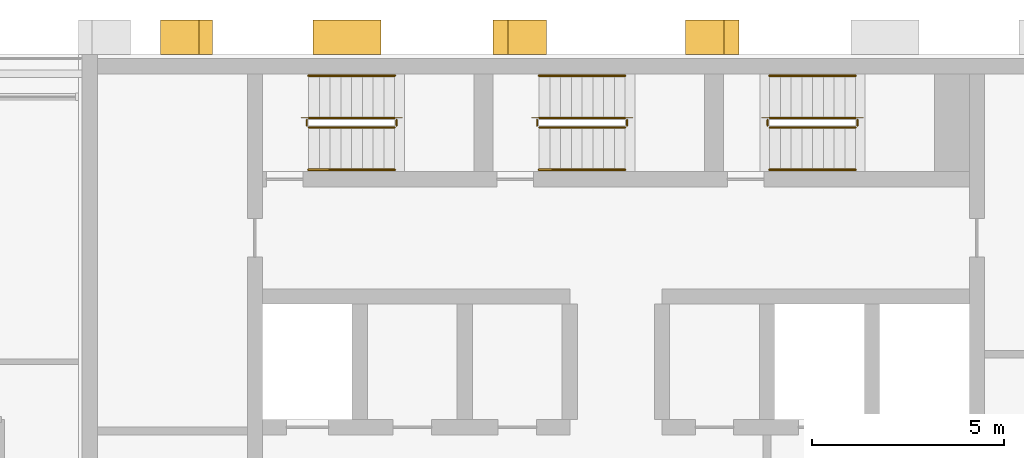
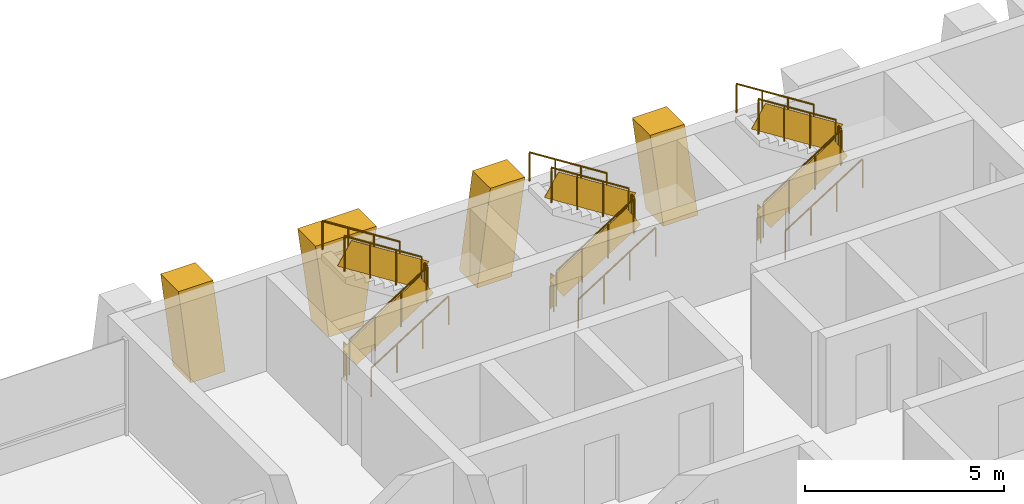
# One storey, part 15 of 16: 18 railings, 4 shading devices.
"""IFC4 building model written with IfcOpenShell, lengths in metres."""

from ifc_helpers import new_model, si_unit, direction, frame, origin, origin_2d, place, context, subcontext, project, spatial, polyline, rectangle, circle, outline, extrude, material, layer, layer_set, type_object, element, save


model = new_model("IFC4")

# Units and contexts
model_context = context("Model", 3, precision=1e-05, world=origin(), true_north=direction((0.0, 1.0)))
body_context = subcontext(model_context, "Body", "Model", "MODEL_VIEW")
ifc_project = project(units=[si_unit("LENGTHUNIT", "METRE"), si_unit("AREAUNIT", "SQUARE_METRE"), si_unit("VOLUMEUNIT", "CUBIC_METRE"), si_unit("PLANEANGLEUNIT", "RADIAN"), si_unit("MASSUNIT", "GRAM", prefix="KILO")], contexts=[model_context])

# Site, building, storey
site_placement = place(None, origin())
site = spatial("IfcSite", under=ifc_project, at=site_placement, CompositionType="ELEMENT")
building_placement = place(site_placement, origin())
building = spatial("IfcBuilding", under=site, at=building_placement, Name="Vidyagriha Tower", CompositionType="ELEMENT")
storey_placement = place(building_placement, frame((0.0, 0.0, 165.300048828125)))
storey = spatial("IfcBuildingStorey", under=building, at=storey_placement, Name="L42", CompositionType="ELEMENT", Elevation=165.300048828125)

# Shading devices
ifc_material_1 = material(Name="Precast concrete C40/50 with brick facing", Category="concrete")
ifc_layer_1 = layer(ifc_material_1, 1.0)
ifc_layer_set_1 = layer_set([ifc_layer_1], Name="Precast concrete C40/50 with brick facing")
shading_device_type_1 = type_object("IfcShadingDeviceType", Name="Brick-faced rear rib arm leaning 8 degrees", PredefinedType="USERDEFINED", material=ifc_layer_set_1)
shading_device_1_placement = place(storey_placement, frame((3.199951171875, 20.449951171875, 0.0), z_axis=(0.0, 0.0, 1.0), x_axis=(-1.0, 0.0, 0.0)))
element("IfcShadingDevice", 1, at=shading_device_1_placement, inside=storey, type_object=shading_device_type_1, Name="Rear rib arm L42 R08.3a", ObjectType="BLADE FIN", PredefinedType="USERDEFINED", context=body_context, shape_type="SweptSolid", body=[
    extrude(outline(polyline([(0.0, 0.0), (1.0, 0.0), (1.3857421875, 2.919921875), (0.3857421875, 2.919921875), (0.0, 0.0)])), frame((0.0, 0.449951171875, 0.0), z_axis=(0.0, -1.0, 0.0), x_axis=(1.0, 0.0, 0.0)), (0.0, 0.0, 1.0), 0.89990234375),
])
shading_device_2_placement = place(storey_placement, frame((-1.814208984375, 20.449951171875, 0.0), z_axis=(0.0, 0.0, 1.0), x_axis=(-1.0, 0.0, 0.0)))
element("IfcShadingDevice", 2, at=shading_device_2_placement, inside=storey, type_object=shading_device_type_1, Name="Rear rib arm L42 R08.3b", ObjectType="BLADE FIN", PredefinedType="USERDEFINED", context=body_context, shape_type="SweptSolid", body=[
    extrude(outline(polyline([(0.3857421875, 0.0), (1.3857421875, 0.0), (1.0, 2.919921875), (0.0, 2.919921875), (0.3857421875, 0.0)])), frame((0.0, 0.449951171875, 0.0), z_axis=(0.0, -1.0, 0.0), x_axis=(1.0, 0.0, 0.0)), (0.0, 0.0, 1.0), 0.89990234375),
])
shading_device_3_placement = place(storey_placement, frame((-10.5, 20.449951171875, 0.0), z_axis=(0.0, 0.0, 1.0), x_axis=(-1.0, 0.0, 0.0)))
element("IfcShadingDevice", 3, at=shading_device_3_placement, inside=storey, type_object=shading_device_type_1, Name="Rear rib arm L42 R08.5a", ObjectType="BLADE FIN", PredefinedType="USERDEFINED", context=body_context, shape_type="SweptSolid", body=[
    extrude(outline(polyline([(0.0, 0.0), (1.0, 0.0), (1.357177734375, 2.919921875), (0.357177734375, 2.919921875), (0.0, 0.0)])), frame((0.0, 0.449951171875, 0.0), z_axis=(0.0, -1.0, 0.0), x_axis=(1.0, 0.0, 0.0)), (0.0, 0.0, 1.0), 0.89990234375),
])
ifc_material_2 = material(Name="Precast concrete C40/50 with brick facing", Category="concrete")
ifc_layer_2 = layer(ifc_material_2, 1.0)
ifc_layer_set_2 = layer_set([ifc_layer_2], Name="Precast concrete C40/50 with brick facing")
shading_device_type_2 = type_object("IfcShadingDeviceType", Name="Brick-faced rear rib forking 8 degrees", PredefinedType="USERDEFINED", material=ifc_layer_set_2)
shading_device_4_placement = place(storey_placement, frame((-6.1142578125, 20.449951171875, 0.0), z_axis=(0.0, 0.0, 1.0), x_axis=(-1.0, 0.0, 0.0)))
element("IfcShadingDevice", 4, at=shading_device_4_placement, inside=storey, type_object=shading_device_type_2, Name="Rear rib fork L42 R08.4a", ObjectType="BLADE FIN", PredefinedType="USERDEFINED", context=body_context, shape_type="SweptSolid", body=[
    extrude(outline(polyline([(0.3857421875, 0.0), (1.3857421875, 0.0), (1.771484375, 2.919921875), (0.0, 2.919921875), (0.3857421875, 0.0)])), frame((0.0, 0.449951171875, 0.0), z_axis=(0.0, -1.0, 0.0), x_axis=(1.0, 0.0, 0.0)), (0.0, 0.0, 1.0), 0.89990234375),
])

# Railings
ifc_material_3 = material(Name="Steel ASTM A500 Grade C", Category="steel")
railing_type_1 = type_object("IfcRailingType", Name="Stair guard 1100 mm, steel balustrade", PredefinedType="GUARDRAIL", material=ifc_material_3)
railing_1_placement = place(storey_placement, frame((-8.0, 18.10009765625, 0.177734375)))
element("IfcRailing", 5, at=railing_1_placement, inside=storey, type_object=railing_type_1, Name="L42 ST1 stair guard 1", PredefinedType="GUARDRAIL", context=body_context, shape_type="SweptSolid", body=[
    extrude(circle(Radius=0.02392578125, at=origin_2d()), frame((0.0, 0.0, 1.076171875), z_axis=(0.8442293374, 0.0, 0.53598211339), x_axis=(0.0, 1.0, 0.0)), (0.0, 0.0, 1.0), 2.6533203125),
    extrude(circle(Radius=0.02099609375, at=origin_2d()), origin(), (0.0, 0.0, 1.0), 1.052001953125),
    extrude(circle(Radius=0.02099609375, at=origin_2d()), frame((0.74658203125, 0.0, 0.47412109375)), (0.0, 0.0, 1.0), 1.052001953125),
    extrude(circle(Radius=0.02099609375, at=origin_2d()), frame((1.493408203125, 0.0, 0.947998046875)), (0.0, 0.0, 1.0), 1.052001953125),
    extrude(circle(Radius=0.02099609375, at=origin_2d()), frame((2.239990234375, 0.0, 1.422119140625)), (0.0, 0.0, 1.0), 1.052001953125),
    extrude(rectangle(XDim=0.010009765625, YDim=0.761474609375, at=origin_2d()), frame((0.0, 0.0, 0.551025390625), z_axis=(0.8442293374, 0.0, 0.53598211339), x_axis=(0.0, 1.0, 0.0)), (0.0, 0.0, 1.0), 2.6533203125),
])
railing_2_placement = place(storey_placement, frame((-5.7099609375, 18.14990234375, 1.599853515625)))
element("IfcRailing", 6, at=railing_2_placement, inside=storey, type_object=railing_type_1, Name="L42 ST1 stair guard 2", PredefinedType="GUARDRAIL", context=body_context, shape_type="SweptSolid", body=[
    extrude(circle(Radius=0.02392578125, at=origin_2d()), frame((0.0, 0.0, 1.076171875), z_axis=(0.0, 1.0, 0.0), x_axis=(-1.0, 0.0, 0.0)), (0.0, 0.0, 1.0), 0.150146484375),
    extrude(circle(Radius=0.02099609375, at=origin_2d()), origin(), (0.0, 0.0, 1.0), 1.052001953125),
    extrude(circle(Radius=0.02099609375, at=origin_2d()), frame((0.0, 0.150146484375, 0.0)), (0.0, 0.0, 1.0), 1.052001953125),
    extrude(rectangle(XDim=0.010009765625, YDim=0.902099609375, at=origin_2d()), frame((0.0, 0.0, 0.551025390625), z_axis=(0.0, 1.0, 0.0), x_axis=(-1.0, 0.0, 0.0)), (0.0, 0.0, 1.0), 0.150146484375),
])
railing_3_placement = place(storey_placement, frame((-5.760009765625, 18.35009765625, 1.77783203125)))
element("IfcRailing", 7, at=railing_3_placement, inside=storey, type_object=railing_type_1, Name="L42 ST1 stair guard 3", PredefinedType="GUARDRAIL", context=body_context, shape_type="SweptSolid", body=[
    extrude(circle(Radius=0.02392578125, at=origin_2d()), frame((0.0, 0.0, 1.076171875), z_axis=(-0.8442293374, 0.0, 0.53598211339), x_axis=(0.0, -1.0, 0.0)), (0.0, 0.0, 1.0), 2.6533203125),
    extrude(circle(Radius=0.02099609375, at=origin_2d()), origin(), (0.0, 0.0, 1.0), 1.052001953125),
    extrude(circle(Radius=0.02099609375, at=origin_2d()), frame((-0.74658203125, 0.0, 0.47412109375)), (0.0, 0.0, 1.0), 1.052001953125),
    extrude(circle(Radius=0.02099609375, at=origin_2d()), frame((-1.493408203125, 0.0, 0.947998046875)), (0.0, 0.0, 1.0), 1.052001953125),
    extrude(circle(Radius=0.02099609375, at=origin_2d()), frame((-2.239990234375, 0.0, 1.422119140625)), (0.0, 0.0, 1.0), 1.052001953125),
    extrude(rectangle(XDim=0.010009765625, YDim=0.761474609375, at=origin_2d()), frame((0.0, 0.0, 0.551025390625), z_axis=(-0.8442293374, 0.0, 0.53598211339), x_axis=(0.0, -1.0, 0.0)), (0.0, 0.0, 1.0), 2.6533203125),
])
railing_4_placement = place(storey_placement, frame((-8.050048828125, 18.14990234375, 0.0)))
element("IfcRailing", 8, at=railing_4_placement, inside=storey, type_object=railing_type_1, Name="L42 ST1 stair guard 4", PredefinedType="GUARDRAIL", context=body_context, shape_type="SweptSolid", body=[
    extrude(circle(Radius=0.02392578125, at=origin_2d()), frame((0.0, 0.0, 1.076171875), z_axis=(0.0, 1.0, 0.0), x_axis=(-1.0, 0.0, 0.0)), (0.0, 0.0, 1.0), 0.150146484375),
    extrude(circle(Radius=0.02099609375, at=origin_2d()), origin(), (0.0, 0.0, 1.0), 1.052001953125),
    extrude(circle(Radius=0.02099609375, at=origin_2d()), frame((0.0, 0.150146484375, 0.0)), (0.0, 0.0, 1.0), 1.052001953125),
    extrude(rectangle(XDim=0.010009765625, YDim=0.902099609375, at=origin_2d()), frame((0.0, 0.0, 0.551025390625), z_axis=(0.0, 1.0, 0.0), x_axis=(-1.0, 0.0, 0.0)), (0.0, 0.0, 1.0), 0.150146484375),
])
railing_5_placement = place(storey_placement, frame((-2.0, 18.10009765625, 0.177734375)))
element("IfcRailing", 9, at=railing_5_placement, inside=storey, type_object=railing_type_1, Name="L42 ST2 stair guard 1", PredefinedType="GUARDRAIL", context=body_context, shape_type="SweptSolid", body=[
    extrude(circle(Radius=0.02392578125, at=origin_2d()), frame((0.0, 0.0, 1.076171875), z_axis=(0.8442293374, 0.0, 0.53598211339), x_axis=(0.0, 1.0, 0.0)), (0.0, 0.0, 1.0), 2.6533203125),
    extrude(circle(Radius=0.02099609375, at=origin_2d()), origin(), (0.0, 0.0, 1.0), 1.052001953125),
    extrude(circle(Radius=0.02099609375, at=origin_2d()), frame((0.74658203125, 0.0, 0.47412109375)), (0.0, 0.0, 1.0), 1.052001953125),
    extrude(circle(Radius=0.02099609375, at=origin_2d()), frame((1.493408203125, 0.0, 0.947998046875)), (0.0, 0.0, 1.0), 1.052001953125),
    extrude(circle(Radius=0.02099609375, at=origin_2d()), frame((2.239990234375, 0.0, 1.422119140625)), (0.0, 0.0, 1.0), 1.052001953125),
    extrude(rectangle(XDim=0.010009765625, YDim=0.761474609375, at=origin_2d()), frame((0.0, 0.0, 0.551025390625), z_axis=(0.8442293374, 0.0, 0.53598211339), x_axis=(0.0, 1.0, 0.0)), (0.0, 0.0, 1.0), 2.6533203125),
])
railing_6_placement = place(storey_placement, frame((0.2900390625, 18.14990234375, 1.599853515625)))
element("IfcRailing", 10, at=railing_6_placement, inside=storey, type_object=railing_type_1, Name="L42 ST2 stair guard 2", PredefinedType="GUARDRAIL", context=body_context, shape_type="SweptSolid", body=[
    extrude(circle(Radius=0.02392578125, at=origin_2d()), frame((0.0, 0.0, 1.076171875), z_axis=(0.0, 1.0, 0.0), x_axis=(-1.0, 0.0, 0.0)), (0.0, 0.0, 1.0), 0.150146484375),
    extrude(circle(Radius=0.02099609375, at=origin_2d()), origin(), (0.0, 0.0, 1.0), 1.052001953125),
    extrude(circle(Radius=0.02099609375, at=origin_2d()), frame((0.0, 0.150146484375, 0.0)), (0.0, 0.0, 1.0), 1.052001953125),
    extrude(rectangle(XDim=0.010009765625, YDim=0.902099609375, at=origin_2d()), frame((0.0, 0.0, 0.551025390625), z_axis=(0.0, 1.0, 0.0), x_axis=(-1.0, 0.0, 0.0)), (0.0, 0.0, 1.0), 0.150146484375),
])
railing_7_placement = place(storey_placement, frame((0.239990234375, 18.35009765625, 1.77783203125)))
element("IfcRailing", 11, at=railing_7_placement, inside=storey, type_object=railing_type_1, Name="L42 ST2 stair guard 3", PredefinedType="GUARDRAIL", context=body_context, shape_type="SweptSolid", body=[
    extrude(circle(Radius=0.02392578125, at=origin_2d()), frame((0.0, 0.0, 1.076171875), z_axis=(-0.8442293374, 0.0, 0.53598211339), x_axis=(0.0, -1.0, 0.0)), (0.0, 0.0, 1.0), 2.6533203125),
    extrude(circle(Radius=0.02099609375, at=origin_2d()), origin(), (0.0, 0.0, 1.0), 1.052001953125),
    extrude(circle(Radius=0.02099609375, at=origin_2d()), frame((-0.74658203125, 0.0, 0.47412109375)), (0.0, 0.0, 1.0), 1.052001953125),
    extrude(circle(Radius=0.02099609375, at=origin_2d()), frame((-1.493408203125, 0.0, 0.947998046875)), (0.0, 0.0, 1.0), 1.052001953125),
    extrude(circle(Radius=0.02099609375, at=origin_2d()), frame((-2.239990234375, 0.0, 1.422119140625)), (0.0, 0.0, 1.0), 1.052001953125),
    extrude(rectangle(XDim=0.010009765625, YDim=0.761474609375, at=origin_2d()), frame((0.0, 0.0, 0.551025390625), z_axis=(-0.8442293374, 0.0, 0.53598211339), x_axis=(0.0, -1.0, 0.0)), (0.0, 0.0, 1.0), 2.6533203125),
])
railing_8_placement = place(storey_placement, frame((-2.050048828125, 18.14990234375, 0.0)))
element("IfcRailing", 12, at=railing_8_placement, inside=storey, type_object=railing_type_1, Name="L42 ST2 stair guard 4", PredefinedType="GUARDRAIL", context=body_context, shape_type="SweptSolid", body=[
    extrude(circle(Radius=0.02392578125, at=origin_2d()), frame((0.0, 0.0, 1.076171875), z_axis=(0.0, 1.0, 0.0), x_axis=(-1.0, 0.0, 0.0)), (0.0, 0.0, 1.0), 0.150146484375),
    extrude(circle(Radius=0.02099609375, at=origin_2d()), origin(), (0.0, 0.0, 1.0), 1.052001953125),
    extrude(circle(Radius=0.02099609375, at=origin_2d()), frame((0.0, 0.150146484375, 0.0)), (0.0, 0.0, 1.0), 1.052001953125),
    extrude(rectangle(XDim=0.010009765625, YDim=0.902099609375, at=origin_2d()), frame((0.0, 0.0, 0.551025390625), z_axis=(0.0, 1.0, 0.0), x_axis=(-1.0, 0.0, 0.0)), (0.0, 0.0, 1.0), 0.150146484375),
])
railing_9_placement = place(storey_placement, frame((4.0, 18.10009765625, 0.177734375)))
element("IfcRailing", 13, at=railing_9_placement, inside=storey, type_object=railing_type_1, Name="L42 ST3 stair guard 1", PredefinedType="GUARDRAIL", context=body_context, shape_type="SweptSolid", body=[
    extrude(circle(Radius=0.02392578125, at=origin_2d()), frame((0.0, 0.0, 1.076171875), z_axis=(0.8442293374, 0.0, 0.53598211339), x_axis=(0.0, 1.0, 0.0)), (0.0, 0.0, 1.0), 2.6533203125),
    extrude(circle(Radius=0.02099609375, at=origin_2d()), origin(), (0.0, 0.0, 1.0), 1.052001953125),
    extrude(circle(Radius=0.02099609375, at=origin_2d()), frame((0.74658203125, 0.0, 0.47412109375)), (0.0, 0.0, 1.0), 1.052001953125),
    extrude(circle(Radius=0.02099609375, at=origin_2d()), frame((1.493408203125, 0.0, 0.947998046875)), (0.0, 0.0, 1.0), 1.052001953125),
    extrude(circle(Radius=0.02099609375, at=origin_2d()), frame((2.239990234375, 0.0, 1.422119140625)), (0.0, 0.0, 1.0), 1.052001953125),
    extrude(rectangle(XDim=0.010009765625, YDim=0.761474609375, at=origin_2d()), frame((0.0, 0.0, 0.551025390625), z_axis=(0.8442293374, 0.0, 0.53598211339), x_axis=(0.0, 1.0, 0.0)), (0.0, 0.0, 1.0), 2.6533203125),
])
railing_10_placement = place(storey_placement, frame((6.2900390625, 18.14990234375, 1.599853515625)))
element("IfcRailing", 14, at=railing_10_placement, inside=storey, type_object=railing_type_1, Name="L42 ST3 stair guard 2", PredefinedType="GUARDRAIL", context=body_context, shape_type="SweptSolid", body=[
    extrude(circle(Radius=0.02392578125, at=origin_2d()), frame((0.0, 0.0, 1.076171875), z_axis=(0.0, 1.0, 0.0), x_axis=(-1.0, 0.0, 0.0)), (0.0, 0.0, 1.0), 0.150146484375),
    extrude(circle(Radius=0.02099609375, at=origin_2d()), origin(), (0.0, 0.0, 1.0), 1.052001953125),
    extrude(circle(Radius=0.02099609375, at=origin_2d()), frame((0.0, 0.150146484375, 0.0)), (0.0, 0.0, 1.0), 1.052001953125),
    extrude(rectangle(XDim=0.010009765625, YDim=0.902099609375, at=origin_2d()), frame((0.0, 0.0, 0.551025390625), z_axis=(0.0, 1.0, 0.0), x_axis=(-1.0, 0.0, 0.0)), (0.0, 0.0, 1.0), 0.150146484375),
])
railing_11_placement = place(storey_placement, frame((6.239990234375, 18.35009765625, 1.77783203125)))
element("IfcRailing", 15, at=railing_11_placement, inside=storey, type_object=railing_type_1, Name="L42 ST3 stair guard 3", PredefinedType="GUARDRAIL", context=body_context, shape_type="SweptSolid", body=[
    extrude(circle(Radius=0.02392578125, at=origin_2d()), frame((0.0, 0.0, 1.076171875), z_axis=(-0.8442293374, 0.0, 0.53598211339), x_axis=(0.0, -1.0, 0.0)), (0.0, 0.0, 1.0), 2.6533203125),
    extrude(circle(Radius=0.02099609375, at=origin_2d()), origin(), (0.0, 0.0, 1.0), 1.052001953125),
    extrude(circle(Radius=0.02099609375, at=origin_2d()), frame((-0.74658203125, 0.0, 0.47412109375)), (0.0, 0.0, 1.0), 1.052001953125),
    extrude(circle(Radius=0.02099609375, at=origin_2d()), frame((-1.493408203125, 0.0, 0.947998046875)), (0.0, 0.0, 1.0), 1.052001953125),
    extrude(circle(Radius=0.02099609375, at=origin_2d()), frame((-2.239990234375, 0.0, 1.422119140625)), (0.0, 0.0, 1.0), 1.052001953125),
    extrude(rectangle(XDim=0.010009765625, YDim=0.761474609375, at=origin_2d()), frame((0.0, 0.0, 0.551025390625), z_axis=(-0.8442293374, 0.0, 0.53598211339), x_axis=(0.0, -1.0, 0.0)), (0.0, 0.0, 1.0), 2.6533203125),
])
railing_12_placement = place(storey_placement, frame((3.949951171875, 18.14990234375, 0.0)))
element("IfcRailing", 16, at=railing_12_placement, inside=storey, type_object=railing_type_1, Name="L42 ST3 stair guard 4", PredefinedType="GUARDRAIL", context=body_context, shape_type="SweptSolid", body=[
    extrude(circle(Radius=0.02392578125, at=origin_2d()), frame((0.0, 0.0, 1.076171875), z_axis=(0.0, 1.0, 0.0), x_axis=(-1.0, 0.0, 0.0)), (0.0, 0.0, 1.0), 0.150146484375),
    extrude(circle(Radius=0.02099609375, at=origin_2d()), origin(), (0.0, 0.0, 1.0), 1.052001953125),
    extrude(circle(Radius=0.02099609375, at=origin_2d()), frame((0.0, 0.150146484375, 0.0)), (0.0, 0.0, 1.0), 1.052001953125),
    extrude(rectangle(XDim=0.010009765625, YDim=0.902099609375, at=origin_2d()), frame((0.0, 0.0, 0.551025390625), z_axis=(0.0, 1.0, 0.0), x_axis=(-1.0, 0.0, 0.0)), (0.0, 0.0, 1.0), 0.150146484375),
])
ifc_material_4 = material(Name="Steel ASTM A500 Grade C", Category="steel")
railing_type_2 = type_object("IfcRailingType", Name="Stair handrail 900 mm, steel", PredefinedType="HANDRAIL", material=ifc_material_4)
railing_13_placement = place(storey_placement, frame((-8.0, 17.0, 0.177734375)))
element("IfcRailing", 17, at=railing_13_placement, inside=storey, type_object=railing_type_2, Name="L42 ST1 stair handrail 1", PredefinedType="HANDRAIL", context=body_context, shape_type="SweptSolid", body=[
    extrude(circle(Radius=0.02392578125, at=origin_2d()), frame((0.0, 0.0, 0.8759765625), z_axis=(0.8442293374, 0.0, 0.53598211339), x_axis=(0.0, 1.0, 0.0)), (0.0, 0.0, 1.0), 2.6533203125),
    extrude(circle(Radius=0.02099609375, at=origin_2d()), origin(), (0.0, 0.0, 1.0), 0.851806640625),
    extrude(circle(Radius=0.02099609375, at=origin_2d()), frame((0.74658203125, 0.0, 0.47412109375)), (0.0, 0.0, 1.0), 0.851806640625),
    extrude(circle(Radius=0.02099609375, at=origin_2d()), frame((1.493408203125, 0.0, 0.947998046875)), (0.0, 0.0, 1.0), 0.851806640625),
    extrude(circle(Radius=0.02099609375, at=origin_2d()), frame((2.239990234375, 0.0, 1.422119140625)), (0.0, 0.0, 1.0), 0.851806640625),
])
railing_14_placement = place(storey_placement, frame((-5.760009765625, 19.449951171875, 1.77783203125)))
element("IfcRailing", 18, at=railing_14_placement, inside=storey, type_object=railing_type_2, Name="L42 ST1 stair handrail 2", PredefinedType="HANDRAIL", context=body_context, shape_type="SweptSolid", body=[
    extrude(circle(Radius=0.02392578125, at=origin_2d()), frame((0.0, 0.0, 0.8759765625), z_axis=(-0.8442293374, 0.0, 0.53598211339), x_axis=(0.0, -1.0, 0.0)), (0.0, 0.0, 1.0), 2.6533203125),
    extrude(circle(Radius=0.02099609375, at=origin_2d()), origin(), (0.0, 0.0, 1.0), 0.851806640625),
    extrude(circle(Radius=0.02099609375, at=origin_2d()), frame((-0.74658203125, 0.0, 0.47412109375)), (0.0, 0.0, 1.0), 0.851806640625),
    extrude(circle(Radius=0.02099609375, at=origin_2d()), frame((-1.493408203125, 0.0, 0.947998046875)), (0.0, 0.0, 1.0), 0.851806640625),
    extrude(circle(Radius=0.02099609375, at=origin_2d()), frame((-2.239990234375, 0.0, 1.422119140625)), (0.0, 0.0, 1.0), 0.851806640625),
])
railing_15_placement = place(storey_placement, frame((-2.0, 17.0, 0.177734375)))
element("IfcRailing", 19, at=railing_15_placement, inside=storey, type_object=railing_type_2, Name="L42 ST2 stair handrail 1", PredefinedType="HANDRAIL", context=body_context, shape_type="SweptSolid", body=[
    extrude(circle(Radius=0.02392578125, at=origin_2d()), frame((0.0, 0.0, 0.8759765625), z_axis=(0.8442293374, 0.0, 0.53598211339), x_axis=(0.0, 1.0, 0.0)), (0.0, 0.0, 1.0), 2.6533203125),
    extrude(circle(Radius=0.02099609375, at=origin_2d()), origin(), (0.0, 0.0, 1.0), 0.851806640625),
    extrude(circle(Radius=0.02099609375, at=origin_2d()), frame((0.74658203125, 0.0, 0.47412109375)), (0.0, 0.0, 1.0), 0.851806640625),
    extrude(circle(Radius=0.02099609375, at=origin_2d()), frame((1.493408203125, 0.0, 0.947998046875)), (0.0, 0.0, 1.0), 0.851806640625),
    extrude(circle(Radius=0.02099609375, at=origin_2d()), frame((2.239990234375, 0.0, 1.422119140625)), (0.0, 0.0, 1.0), 0.851806640625),
])
railing_16_placement = place(storey_placement, frame((0.239990234375, 19.449951171875, 1.77783203125)))
element("IfcRailing", 20, at=railing_16_placement, inside=storey, type_object=railing_type_2, Name="L42 ST2 stair handrail 2", PredefinedType="HANDRAIL", context=body_context, shape_type="SweptSolid", body=[
    extrude(circle(Radius=0.02392578125, at=origin_2d()), frame((0.0, 0.0, 0.8759765625), z_axis=(-0.8442293374, 0.0, 0.53598211339), x_axis=(0.0, -1.0, 0.0)), (0.0, 0.0, 1.0), 2.6533203125),
    extrude(circle(Radius=0.02099609375, at=origin_2d()), origin(), (0.0, 0.0, 1.0), 0.851806640625),
    extrude(circle(Radius=0.02099609375, at=origin_2d()), frame((-0.74658203125, 0.0, 0.47412109375)), (0.0, 0.0, 1.0), 0.851806640625),
    extrude(circle(Radius=0.02099609375, at=origin_2d()), frame((-1.493408203125, 0.0, 0.947998046875)), (0.0, 0.0, 1.0), 0.851806640625),
    extrude(circle(Radius=0.02099609375, at=origin_2d()), frame((-2.239990234375, 0.0, 1.422119140625)), (0.0, 0.0, 1.0), 0.851806640625),
])
railing_17_placement = place(storey_placement, frame((4.0, 17.0, 0.177734375)))
element("IfcRailing", 21, at=railing_17_placement, inside=storey, type_object=railing_type_2, Name="L42 ST3 stair handrail 1", PredefinedType="HANDRAIL", context=body_context, shape_type="SweptSolid", body=[
    extrude(circle(Radius=0.02392578125, at=origin_2d()), frame((0.0, 0.0, 0.8759765625), z_axis=(0.8442293374, 0.0, 0.53598211339), x_axis=(0.0, 1.0, 0.0)), (0.0, 0.0, 1.0), 2.6533203125),
    extrude(circle(Radius=0.02099609375, at=origin_2d()), origin(), (0.0, 0.0, 1.0), 0.851806640625),
    extrude(circle(Radius=0.02099609375, at=origin_2d()), frame((0.74658203125, 0.0, 0.47412109375)), (0.0, 0.0, 1.0), 0.851806640625),
    extrude(circle(Radius=0.02099609375, at=origin_2d()), frame((1.493408203125, 0.0, 0.947998046875)), (0.0, 0.0, 1.0), 0.851806640625),
    extrude(circle(Radius=0.02099609375, at=origin_2d()), frame((2.239990234375, 0.0, 1.422119140625)), (0.0, 0.0, 1.0), 0.851806640625),
])
railing_18_placement = place(storey_placement, frame((6.239990234375, 19.449951171875, 1.77783203125)))
element("IfcRailing", 22, at=railing_18_placement, inside=storey, type_object=railing_type_2, Name="L42 ST3 stair handrail 2", PredefinedType="HANDRAIL", context=body_context, shape_type="SweptSolid", body=[
    extrude(circle(Radius=0.02392578125, at=origin_2d()), frame((0.0, 0.0, 0.8759765625), z_axis=(-0.8442293374, 0.0, 0.53598211339), x_axis=(0.0, -1.0, 0.0)), (0.0, 0.0, 1.0), 2.6533203125),
    extrude(circle(Radius=0.02099609375, at=origin_2d()), origin(), (0.0, 0.0, 1.0), 0.851806640625),
    extrude(circle(Radius=0.02099609375, at=origin_2d()), frame((-0.74658203125, 0.0, 0.47412109375)), (0.0, 0.0, 1.0), 0.851806640625),
    extrude(circle(Radius=0.02099609375, at=origin_2d()), frame((-1.493408203125, 0.0, 0.947998046875)), (0.0, 0.0, 1.0), 0.851806640625),
    extrude(circle(Radius=0.02099609375, at=origin_2d()), frame((-2.239990234375, 0.0, 1.422119140625)), (0.0, 0.0, 1.0), 0.851806640625),
])

save(model, "model.ifc")
